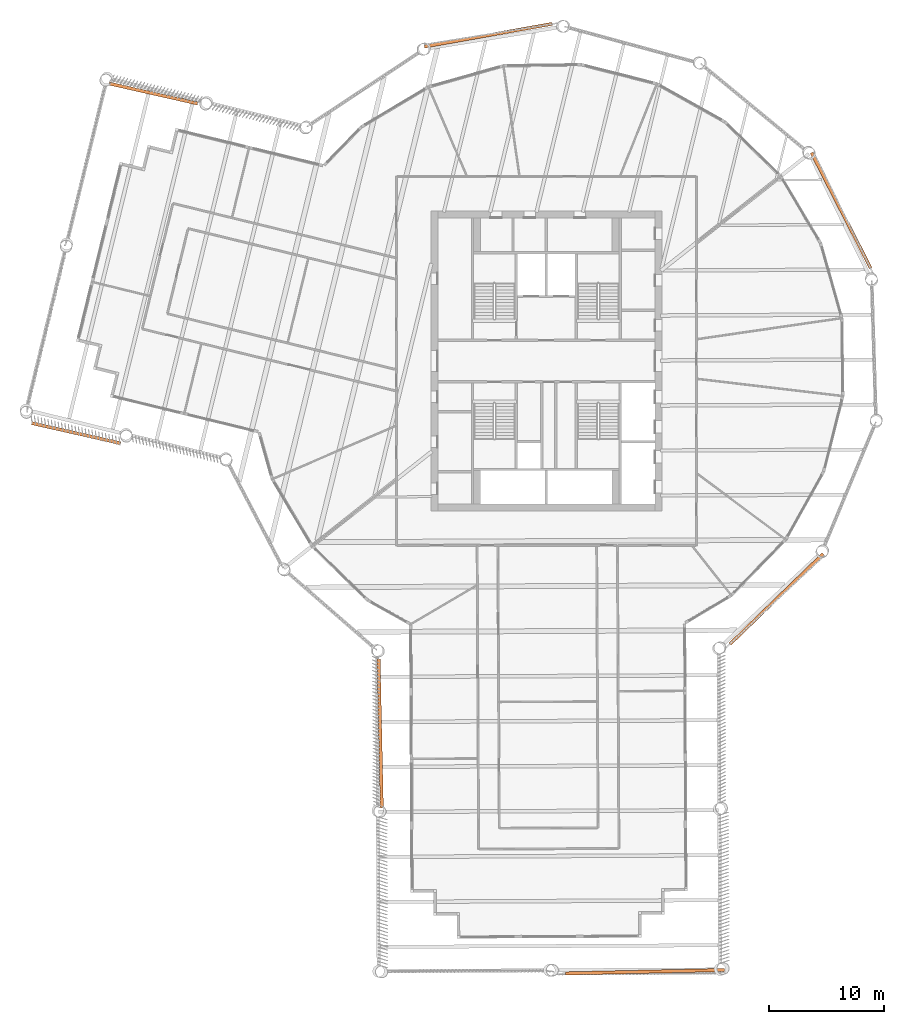
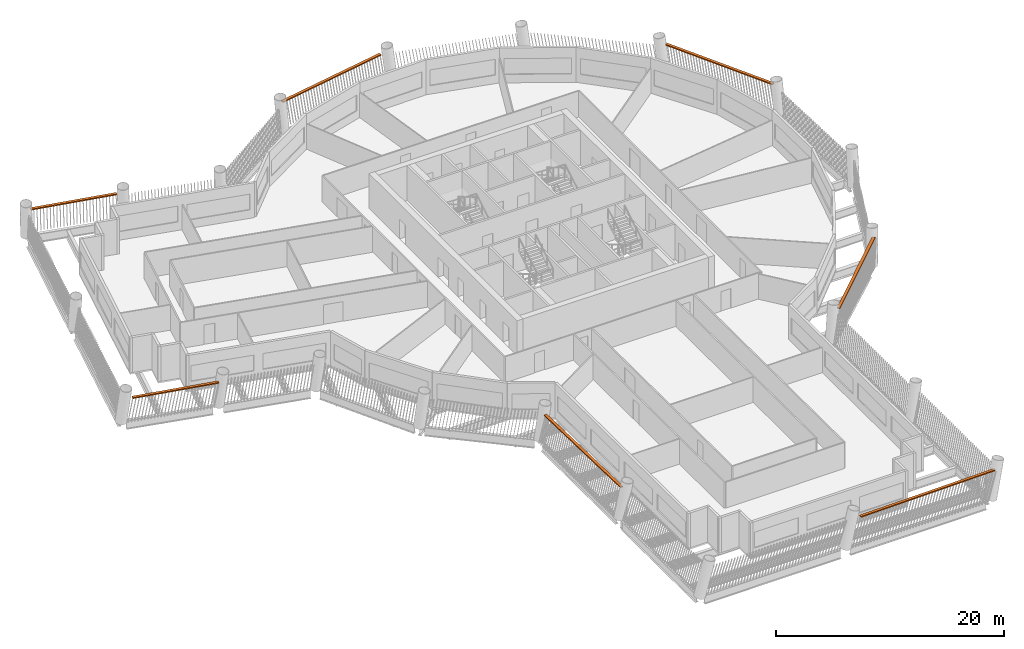
# One storey, part 15 of 15: 7 proxies.
"""IFC4 building model written with IfcOpenShell, lengths in metres."""

from ifc_helpers import new_model, si_unit, direction, frame, origin, origin_2d, place, context, subcontext, project, spatial, rectangle, extrude, material, type_object, element, save


model = new_model("IFC4")

# Units and contexts
model_context = context("Model", 3, precision=1e-05, world=origin(), true_north=direction((0.0, 1.0)))
body_context = subcontext(model_context, "Body", "Model", "MODEL_VIEW")
ifc_project = project(units=[si_unit("LENGTHUNIT", "METRE"), si_unit("AREAUNIT", "SQUARE_METRE"), si_unit("VOLUMEUNIT", "CUBIC_METRE"), si_unit("PLANEANGLEUNIT", "RADIAN"), si_unit("MASSUNIT", "GRAM", prefix="KILO")], contexts=[model_context])

# Site, building, storey
site_placement = place(None, origin())
site = spatial("IfcSite", under=ifc_project, at=site_placement, CompositionType="ELEMENT")
building_placement = place(site_placement, origin())
building = spatial("IfcBuilding", under=site, at=building_placement, Name="Tarsis Ring Headquarters", CompositionType="ELEMENT")
storey_placement = place(building_placement, frame((0.0, 0.0, 227.699951171875)))
storey = spatial("IfcBuildingStorey", under=building, at=storey_placement, Name="L53", CompositionType="ELEMENT", Elevation=227.699951171875)

# Proxies
ifc_material = material(Name="Structural steel S355", Category="steel")
building_element_proxy_type = type_object("IfcBuildingElementProxyType", Name="Screen bracket plate", PredefinedType="USERDEFINED", material=ifc_material)
proxy_1_placement = place(storey_placement, frame((-14.400146484375, -32.265869140625, 2.949951171875), z_axis=(0.0, 0.0, 1.0), x_axis=(0.021640393312, -0.999765819268, 0.0)))
element("IfcBuildingElementProxy", 1, at=proxy_1_placement, inside=storey, type_object=building_element_proxy_type, Name="Screen bracket L53-01", ObjectType="Bracket", PredefinedType="USERDEFINED", context=body_context, shape_type="SweptSolid", body=[
    extrude(rectangle(XDim=12.90234375, YDim=0.280029296875, at=origin_2d()), origin(), (0.0, 0.0, 1.0), 0.1201171875),
])
proxy_2_placement = place(storey_placement, frame((8.54736328125, -52.92236328125, 2.949951171875), z_axis=(0.0, 0.0, 1.0), x_axis=(0.999765820401, 0.021640340964, 0.0)))
element("IfcBuildingElementProxy", 2, at=proxy_2_placement, inside=storey, type_object=building_element_proxy_type, Name="Screen bracket L53-04", ObjectType="Bracket", PredefinedType="USERDEFINED", context=body_context, shape_type="SweptSolid", body=[
    extrude(rectangle(XDim=13.800048828125, YDim=0.280029296875, at=origin_2d()), origin(), (0.0, 0.0, 1.0), 0.1201171875),
])
for number, where, z_axis, x_axis, name in (
    (3, (19.945068359375, -20.623779296875, 2.949951171875), (0.0, 0.0, 1.0), (0.718839156104, 0.695176429154, 0.0), "Screen bracket L53-07"),
    (4, (25.5478515625, 13.055908203125, 2.949951171875), (0.0, 0.0, 1.0), (-0.45505935036, 0.890461109566, 0.0), "Screen bracket L53-10"),
    (5, (-5.029541015625, 28.246337890625, 2.949951171875), (0.0, 0.0, 1.0), (-0.984514719843, -0.17530192929, 0.0), "Screen bracket L53-13"),
):
    element("IfcBuildingElementProxy", number, at=place(storey_placement, frame(where, z_axis=z_axis, x_axis=x_axis)), inside=storey, type_object=building_element_proxy_type, Name=name, ObjectType="Bracket", PredefinedType="USERDEFINED", context=body_context, shape_type="SweptSolid", body=[
        extrude(rectangle(XDim=11.248779296875, YDim=0.280029296875, at=origin_2d()), origin(), (0.0, 0.0, 1.0), 0.1201171875),
    ])
for number, where, z_axis, x_axis, name in (
    (6, (-34.06787109375, 23.192138671875, 2.949951171875), (0.0, 0.0, 1.0), (-0.975303778975, 0.220867695052, 0.0), "Screen bracket L53-16"),
    (7, (-40.73583984375, -6.252197265625, 2.949951171875), (0.0, 0.0, 1.0), (0.975303771265, -0.220867729097, 0.0), "Screen bracket L53-19"),
):
    element("IfcBuildingElementProxy", number, at=place(storey_placement, frame(where, z_axis=z_axis, x_axis=x_axis)), inside=storey, type_object=building_element_proxy_type, Name=name, ObjectType="Bracket", PredefinedType="USERDEFINED", context=body_context, shape_type="SweptSolid", body=[
        extrude(rectangle(XDim=7.90234375, YDim=0.280029296875, at=origin_2d()), origin(), (0.0, 0.0, 1.0), 0.1201171875),
    ])

save(model, "model.ifc")
